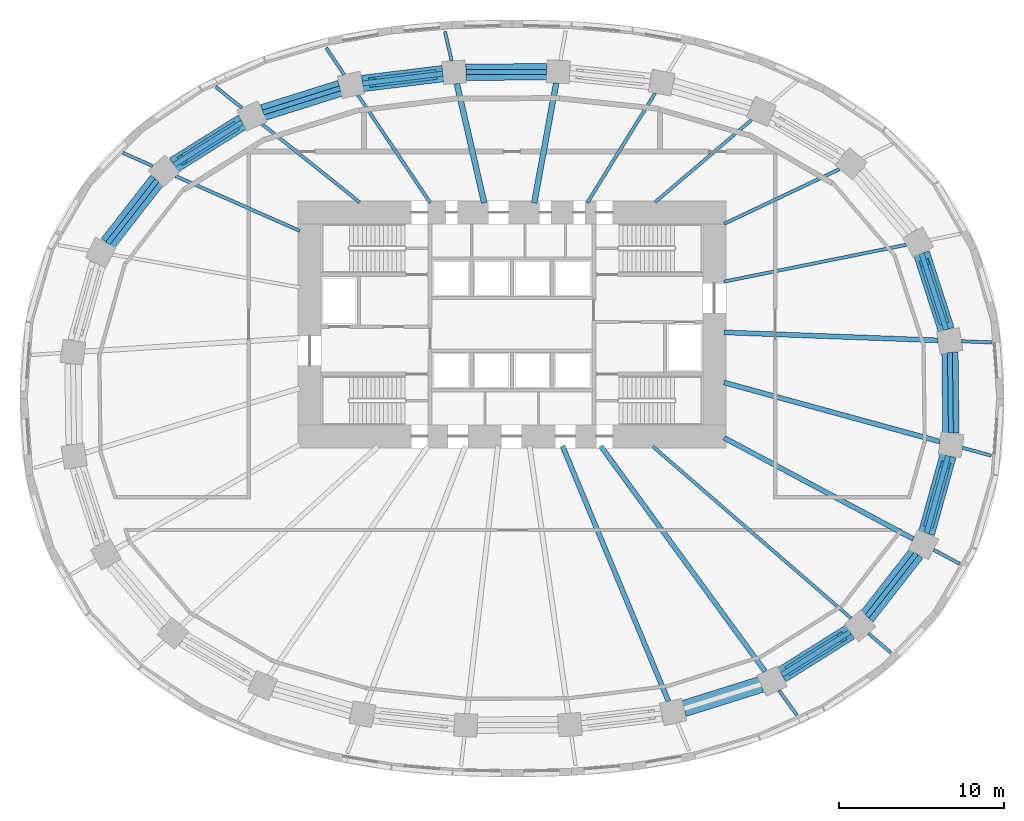
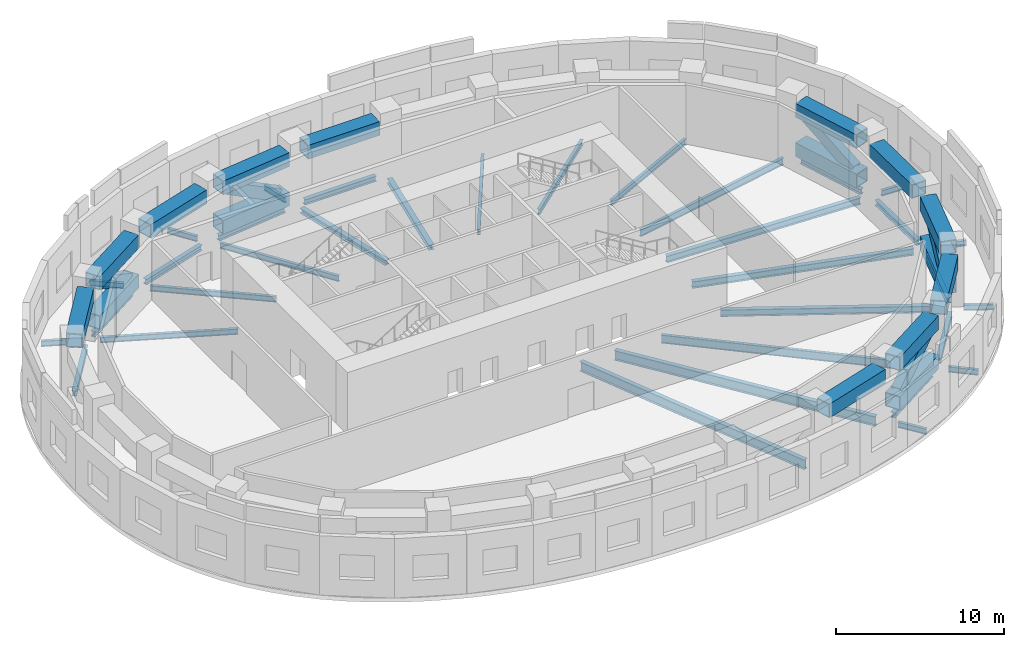
# One storey, part 2 of 9: 34 beams, 21 members.
"""IFC4 building model written with IfcOpenShell, lengths in metres."""

from ifc_helpers import new_model, si_unit, direction, frame, origin, origin_2d, place, context, subcontext, project, spatial, hollow_rectangle, i_section, extrude, material, material_profile, profile_set, type_object, element, save


model = new_model("IFC4")

# Units and contexts
model_context = context("Model", 3, precision=1e-05, world=origin(), true_north=direction((0.0, 1.0)))
body_context = subcontext(model_context, "Body", "Model", "MODEL_VIEW")
ifc_project = project(units=[si_unit("LENGTHUNIT", "METRE"), si_unit("AREAUNIT", "SQUARE_METRE"), si_unit("VOLUMEUNIT", "CUBIC_METRE"), si_unit("PLANEANGLEUNIT", "RADIAN"), si_unit("MASSUNIT", "GRAM", prefix="KILO")], contexts=[model_context])

# Site, building, storey
site_placement = place(None, origin())
site = spatial("IfcSite", under=ifc_project, at=site_placement, CompositionType="ELEMENT")
building_placement = place(site_placement, origin())
building = spatial("IfcBuilding", under=site, at=building_placement, Name="Rubra Terraces Tower", CompositionType="ELEMENT")
storey_placement = place(building_placement, frame((0.0, 0.0, 33.0)))
storey = spatial("IfcBuildingStorey", under=building, at=storey_placement, Name="L05", CompositionType="ELEMENT", Elevation=33.0)

# Members
ifc_material = material(Name="Steel Q355B", Category="steel")
ifc_material_profile_1 = material_profile(ifc_material, hollow_rectangle(XDim=1.0, YDim=1.0, WallThickness=0.050048828125, at=origin_2d()), Name="BOX 1000x1000x50")
ifc_profile_set_1 = profile_set([ifc_material_profile_1], Name="Steel Q355B")
member_type_1 = type_object("IfcMemberType", Name="BELT TRUSS BOTTOM CHORD R1 BOX 1000x1000x50", PredefinedType="CHORD", material=ifc_profile_set_1)
member_1_placement = place(storey_placement, frame((26.389892578125, 4.1689453125, 0.5), z_axis=(-0.306899072406, 0.95174206556, 0.0), x_axis=(-0.95174206556, -0.306899072406, 0.0)))
element("IfcMember", 1, at=member_1_placement, inside=storey, type_object=member_type_1, Name="BELT TRUSS CHORD R1", PredefinedType="CHORD", context=body_context, shape_type="SweptSolid", body=[
    extrude(hollow_rectangle(XDim=1.0, YDim=1.0, WallThickness=0.050048828125, at=origin_2d()), origin(), (0.0, 0.0, 1.0), 4.883544921875),
])
member_2_placement = place(storey_placement, frame((-4.2041015625, 19.739013671875, 0.5), z_axis=(-0.992628259183, -0.121198758537, 0.0), x_axis=(0.121198758537, -0.992628259183, 0.0)))
element("IfcMember", 2, at=member_2_placement, inside=storey, type_object=member_type_1, Name="BELT TRUSS CHORD R1", PredefinedType="CHORD", context=body_context, shape_type="SweptSolid", body=[
    extrude(hollow_rectangle(XDim=1.0, YDim=1.0, WallThickness=0.050048828125, at=origin_2d()), origin(), (0.0, 0.0, 1.0), 4.9169921875),
])
for number, where, z_axis, x_axis, name in (
    (3, (-16.39208984375, 16.79296875, 0.5), (-0.84705069726, -0.531512103599, 0.0), (0.531512103599, -0.84705069726, 0.0), "BELT TRUSS CHORD R1"),
    (4, (16.39208984375, -16.79296875, 0.5), (0.84705069726, 0.531512103599, 0.0), (-0.531512103599, 0.84705069726, 0.0), "BELT TRUSS CHORD R1"),
):
    element("IfcMember", number, at=place(storey_placement, frame(where, z_axis=z_axis, x_axis=x_axis)), inside=storey, type_object=member_type_1, Name=name, PredefinedType="CHORD", context=body_context, shape_type="SweptSolid", body=[
        extrude(hollow_rectangle(XDim=1.0, YDim=1.0, WallThickness=0.050048828125, at=origin_2d()), origin(), (0.0, 0.0, 1.0), 4.899169921875),
    ])
member_3_placement = place(storey_placement, frame((25.18994140625, -8.19091796875, 0.5), z_axis=(0.267520162501, 0.963552262545, 0.0), x_axis=(-0.963552262545, 0.267520162501, 0.0)))
element("IfcMember", 5, at=member_3_placement, inside=storey, type_object=member_type_1, Name="BELT TRUSS CHORD R1", PredefinedType="CHORD", context=body_context, shape_type="SweptSolid", body=[
    extrude(hollow_rectangle(XDim=1.0, YDim=1.0, WallThickness=0.050048828125, at=origin_2d()), origin(), (0.0, 0.0, 1.0), 4.885986328125),
])
ifc_material_profile_2 = material_profile(ifc_material, hollow_rectangle(XDim=0.60009765625, YDim=0.800048828125, WallThickness=0.034912109375, at=origin_2d()), Name="BOX 800x600x35")
ifc_profile_set_2 = profile_set([ifc_material_profile_2], Name="Steel Q355B")
member_type_2 = type_object("IfcMemberType", Name="BELT TRUSS DIAGONAL R1 BOX 800x600x35", PredefinedType="BRACE", material=ifc_profile_set_2)
member_4_placement = place(storey_placement, frame((26.2099609375, 4.72705078125, 0.89990234375), z_axis=(-0.268506515013, 0.832686763707, 0.484290207357), x_axis=(-0.951742714559, -0.306897059751, 0.0)))
element("IfcMember", 6, at=member_4_placement, inside=storey, type_object=member_type_2, Name="BELT TRUSS DIAGONAL R1", PredefinedType="BRACE", context=body_context, shape_type="SweptSolid", body=[
    extrude(hollow_rectangle(XDim=0.60009765625, YDim=0.800048828125, WallThickness=0.034912109375, at=origin_2d()), origin(), (0.0, 0.0, 1.0), 4.24169921875),
])
member_5_placement = place(storey_placement, frame((-4.7900390625, 19.66796875, 0.89990234375), z_axis=(-0.869822746072, -0.106437630657, 0.481746220738), x_axis=(0.121461053986, -0.992596198041, 0.0)))
element("IfcMember", 7, at=member_5_placement, inside=storey, type_object=member_type_2, Name="BELT TRUSS DIAGONAL R1", PredefinedType="BRACE", context=body_context, shape_type="SweptSolid", body=[
    extrude(hollow_rectangle(XDim=0.60009765625, YDim=0.800048828125, WallThickness=0.034912109375, at=origin_2d()), origin(), (0.0, 0.0, 1.0), 4.26416015625),
])
for number, where, z_axis, x_axis, name in (
    (8, (-16.889892578125, 16.47998046875, 0.89990234375), (-0.741763109118, -0.465188072612, 0.483102004809), (0.53130100335, -0.847183122967, 0.0), "BELT TRUSS DIAGONAL R1"),
    (9, (16.889892578125, -16.47998046875, 0.89990234375), (0.741763109118, 0.465188072612, 0.483102004809), (-0.53130100335, 0.847183122967, 0.0), "BELT TRUSS DIAGONAL R1"),
):
    element("IfcMember", number, at=place(storey_placement, frame(where, z_axis=z_axis, x_axis=x_axis)), inside=storey, type_object=member_type_2, Name=name, PredefinedType="BRACE", context=body_context, shape_type="SweptSolid", body=[
        extrude(hollow_rectangle(XDim=0.60009765625, YDim=0.800048828125, WallThickness=0.034912109375, at=origin_2d()), origin(), (0.0, 0.0, 1.0), 4.252197265625),
    ])
member_6_placement = place(storey_placement, frame((25.346923828125, -7.6259765625, 0.89990234375), z_axis=(0.234043295771, 0.843142698998, 0.484080700742), x_axis=(-0.963565934924, 0.26747091254, 0.0)))
element("IfcMember", 10, at=member_6_placement, inside=storey, type_object=member_type_2, Name="BELT TRUSS DIAGONAL R1", PredefinedType="BRACE", context=body_context, shape_type="SweptSolid", body=[
    extrude(hollow_rectangle(XDim=0.60009765625, YDim=0.800048828125, WallThickness=0.034912109375, at=origin_2d()), origin(), (0.0, 0.0, 1.0), 4.243408203125),
])
ifc_material_profile_3 = material_profile(ifc_material, hollow_rectangle(XDim=1.0, YDim=1.0, WallThickness=0.050048828125, at=origin_2d()), Name="BOX 1000x1000x50")
ifc_profile_set_3 = profile_set([ifc_material_profile_3], Name="Steel Q355B")
member_type_3 = type_object("IfcMemberType", Name="BELT TRUSS TOP CHORD R1 BOX 1000x1000x50", PredefinedType="CHORD", material=ifc_profile_set_3)
member_7_placement = place(storey_placement, frame((26.389892578125, 4.1689453125, 3.35400390625), z_axis=(-0.306899072406, 0.95174206556, 0.0), x_axis=(-0.95174206556, -0.306899072406, 0.0)))
element("IfcMember", 11, at=member_7_placement, inside=storey, type_object=member_type_3, Name="BELT TRUSS CHORD R1", PredefinedType="CHORD", context=body_context, shape_type="SweptSolid", body=[
    extrude(hollow_rectangle(XDim=1.0, YDim=1.0, WallThickness=0.050048828125, at=origin_2d()), origin(), (0.0, 0.0, 1.0), 4.883544921875),
])
member_8_placement = place(storey_placement, frame((2.111083984375, 19.85107421875, 3.35400390625), z_axis=(-0.999987934283, -0.004912360715, 0.0), x_axis=(0.004912360715, -0.999987934283, 0.0)))
element("IfcMember", 12, at=member_8_placement, inside=storey, type_object=member_type_3, Name="BELT TRUSS CHORD R1", PredefinedType="CHORD", context=body_context, shape_type="SweptSolid", body=[
    extrude(hollow_rectangle(XDim=1.0, YDim=1.0, WallThickness=0.050048828125, at=origin_2d()), origin(), (0.0, 0.0, 1.0), 4.920166015625),
])
member_9_placement = place(storey_placement, frame((-4.2041015625, 19.739013671875, 3.35400390625), z_axis=(-0.992628259183, -0.121198758537, 0.0), x_axis=(0.121198758537, -0.992628259183, 0.0)))
element("IfcMember", 13, at=member_9_placement, inside=storey, type_object=member_type_3, Name="BELT TRUSS CHORD R1", PredefinedType="CHORD", context=body_context, shape_type="SweptSolid", body=[
    extrude(hollow_rectangle(XDim=1.0, YDim=1.0, WallThickness=0.050048828125, at=origin_2d()), origin(), (0.0, 0.0, 1.0), 4.9169921875),
])
member_10_placement = place(storey_placement, frame((-10.447998046875, 18.847900390625, 3.35400390625), z_axis=(-0.953931514717, -0.300024441054, 0.0), x_axis=(0.300024441054, -0.953931514717, 0.0)))
element("IfcMember", 14, at=member_10_placement, inside=storey, type_object=member_type_3, Name="BELT TRUSS CHORD R1", PredefinedType="CHORD", context=body_context, shape_type="SweptSolid", body=[
    extrude(hollow_rectangle(XDim=1.0, YDim=1.0, WallThickness=0.050048828125, at=origin_2d()), origin(), (0.0, 0.0, 1.0), 4.9091796875),
])
member_11_placement = place(storey_placement, frame((-16.39208984375, 16.79296875, 3.35400390625), z_axis=(-0.84705069726, -0.531512103599, 0.0), x_axis=(0.531512103599, -0.84705069726, 0.0)))
element("IfcMember", 15, at=member_11_placement, inside=storey, type_object=member_type_3, Name="BELT TRUSS CHORD R1", PredefinedType="CHORD", context=body_context, shape_type="SweptSolid", body=[
    extrude(hollow_rectangle(XDim=1.0, YDim=1.0, WallThickness=0.050048828125, at=origin_2d()), origin(), (0.0, 0.0, 1.0), 4.899169921875),
])
member_12_placement = place(storey_placement, frame((-21.56591796875, 13.264892578125, 3.35400390625), z_axis=(-0.615732345854, -0.787955378349, 0.0), x_axis=(0.787955378349, -0.615732345854, 0.0)))
element("IfcMember", 16, at=member_12_placement, inside=storey, type_object=member_type_3, Name="BELT TRUSS CHORD R1", PredefinedType="CHORD", context=body_context, shape_type="SweptSolid", body=[
    extrude(hollow_rectangle(XDim=1.0, YDim=1.0, WallThickness=0.050048828125, at=origin_2d()), origin(), (0.0, 0.0, 1.0), 4.882080078125),
])
member_13_placement = place(storey_placement, frame((10.447998046875, -18.847900390625, 3.35400390625), z_axis=(0.953931514717, 0.300024441054, 0.0), x_axis=(-0.300024441054, 0.953931514717, 0.0)))
element("IfcMember", 17, at=member_13_placement, inside=storey, type_object=member_type_3, Name="BELT TRUSS CHORD R1", PredefinedType="CHORD", context=body_context, shape_type="SweptSolid", body=[
    extrude(hollow_rectangle(XDim=1.0, YDim=1.0, WallThickness=0.050048828125, at=origin_2d()), origin(), (0.0, 0.0, 1.0), 4.9091796875),
])
member_14_placement = place(storey_placement, frame((16.39208984375, -16.79296875, 3.35400390625), z_axis=(0.84705069726, 0.531512103599, 0.0), x_axis=(-0.531512103599, 0.84705069726, 0.0)))
element("IfcMember", 18, at=member_14_placement, inside=storey, type_object=member_type_3, Name="BELT TRUSS CHORD R1", PredefinedType="CHORD", context=body_context, shape_type="SweptSolid", body=[
    extrude(hollow_rectangle(XDim=1.0, YDim=1.0, WallThickness=0.050048828125, at=origin_2d()), origin(), (0.0, 0.0, 1.0), 4.899169921875),
])
member_15_placement = place(storey_placement, frame((21.56591796875, -13.264892578125, 3.35400390625), z_axis=(0.615732345854, 0.787955378349, 0.0), x_axis=(-0.787955378349, 0.615732345854, 0.0)))
element("IfcMember", 19, at=member_15_placement, inside=storey, type_object=member_type_3, Name="BELT TRUSS CHORD R1", PredefinedType="CHORD", context=body_context, shape_type="SweptSolid", body=[
    extrude(hollow_rectangle(XDim=1.0, YDim=1.0, WallThickness=0.050048828125, at=origin_2d()), origin(), (0.0, 0.0, 1.0), 4.882080078125),
])
member_16_placement = place(storey_placement, frame((25.18994140625, -8.19091796875, 3.35400390625), z_axis=(0.267520162501, 0.963552262545, 0.0), x_axis=(-0.963552262545, 0.267520162501, 0.0)))
element("IfcMember", 20, at=member_16_placement, inside=storey, type_object=member_type_3, Name="BELT TRUSS CHORD R1", PredefinedType="CHORD", context=body_context, shape_type="SweptSolid", body=[
    extrude(hollow_rectangle(XDim=1.0, YDim=1.0, WallThickness=0.050048828125, at=origin_2d()), origin(), (0.0, 0.0, 1.0), 4.885986328125),
])
member_17_placement = place(storey_placement, frame((26.675048828125, -2.10791015625, 3.35400390625), z_axis=(-0.012427576121, 0.999922774694, 0.0), x_axis=(-0.999922774694, -0.012427576121, 0.0)))
element("IfcMember", 21, at=member_17_placement, inside=storey, type_object=member_type_3, Name="BELT TRUSS CHORD R1", PredefinedType="CHORD", context=body_context, shape_type="SweptSolid", body=[
    extrude(hollow_rectangle(XDim=1.0, YDim=1.0, WallThickness=0.050048828125, at=origin_2d()), origin(), (0.0, 0.0, 1.0), 4.911376953125),
])

# Beams
ifc_material_profile_4 = material_profile(ifc_material, i_section(OverallWidth=0.199951171875, OverallDepth=0.39990234375, WebThickness=0.008056640625, FlangeThickness=0.012939453125, at=origin_2d()), Name="HN 400x200x8x13")
ifc_profile_set_4 = profile_set([ifc_material_profile_4], Name="Steel Q355B")
beam_type_1 = type_object("IfcBeamType", Name="CANTILEVER BEAM HN 400x200x8x13", PredefinedType="BEAM", material=ifc_profile_set_4)
beam_1_placement = place(storey_placement, frame((27.319091796875, 3.47607421875, -0.5), z_axis=(0.999296482656, -0.037503863151, 0.0), x_axis=(0.037503863151, 0.999296482656, 0.0)))
element("IfcBeam", 22, at=beam_1_placement, inside=storey, type_object=beam_type_1, Name="beam-L05-cant-01", PredefinedType="BEAM", context=body_context, shape_type="SweptSolid", body=[
    extrude(i_section(OverallWidth=0.199951171875, OverallDepth=0.39990234375, WebThickness=0.008056640625, FlangeThickness=0.012939453125, at=origin_2d()), origin(), (0.0, 0.0, 1.0), 1.816162109375),
])
beam_2_placement = place(storey_placement, frame((-3.6669921875, 20.514892578125, -0.5), z_axis=(-0.223175715845, 0.974778231116, 0.0), x_axis=(-0.974778231116, -0.223175715845, 0.0)))
element("IfcBeam", 23, at=beam_2_placement, inside=storey, type_object=beam_type_1, Name="beam-L05-cant-07", PredefinedType="BEAM", context=body_context, shape_type="SweptSolid", body=[
    extrude(i_section(OverallWidth=0.199951171875, OverallDepth=0.39990234375, WebThickness=0.008056640625, FlangeThickness=0.012939453125, at=origin_2d()), origin(), (0.0, 0.0, 1.0), 1.832275390625),
])
beam_3_placement = place(storey_placement, frame((-10.199951171875, 19.68310546875, -0.5), z_axis=(-0.557732327532, 0.830020873729, 0.0), x_axis=(-0.830020873729, -0.557732327532, 0.0)))
element("IfcBeam", 24, at=beam_3_placement, inside=storey, type_object=beam_type_1, Name="beam-L05-cant-08", PredefinedType="BEAM", context=body_context, shape_type="SweptSolid", body=[
    extrude(i_section(OverallWidth=0.199951171875, OverallDepth=0.39990234375, WebThickness=0.008056640625, FlangeThickness=0.012939453125, at=origin_2d()), origin(), (0.0, 0.0, 1.0), 1.96728515625),
])
beam_4_placement = place(storey_placement, frame((-16.408935546875, 17.654052734375, -0.5), z_axis=(-0.780088162003, 0.625669608901, 0.0), x_axis=(-0.625669608901, -0.780088162003, 0.0)))
element("IfcBeam", 25, at=beam_4_placement, inside=storey, type_object=beam_type_1, Name="beam-L05-cant-09", PredefinedType="BEAM", context=body_context, shape_type="SweptSolid", body=[
    extrude(i_section(OverallWidth=0.199951171875, OverallDepth=0.39990234375, WebThickness=0.008056640625, FlangeThickness=0.012939453125, at=origin_2d()), origin(), (0.0, 0.0, 1.0), 2.0458984375),
])
beam_5_placement = place(storey_placement, frame((-21.8369140625, 14.1259765625, -0.5), z_axis=(-0.914937817451, 0.403594834205, 0.0), x_axis=(-0.403594834205, -0.914937817451, 0.0)))
element("IfcBeam", 26, at=beam_5_placement, inside=storey, type_object=beam_type_1, Name="beam-L05-cant-10", PredefinedType="BEAM", context=body_context, shape_type="SweptSolid", body=[
    extrude(i_section(OverallWidth=0.199951171875, OverallDepth=0.39990234375, WebThickness=0.008056640625, FlangeThickness=0.012939453125, at=origin_2d()), origin(), (0.0, 0.0, 1.0), 1.987060546875),
])
beam_6_placement = place(storey_placement, frame((16.219970703125, -17.741943359375, -0.5), z_axis=(0.589263865816, -0.80794065156, 0.0), x_axis=(0.80794065156, 0.589263865816, 0.0)))
element("IfcBeam", 27, at=beam_6_placement, inside=storey, type_object=beam_type_1, Name="beam-L05-cant-21", PredefinedType="BEAM", context=body_context, shape_type="SweptSolid", body=[
    extrude(i_section(OverallWidth=0.199951171875, OverallDepth=0.39990234375, WebThickness=0.008056640625, FlangeThickness=0.012939453125, at=origin_2d()), origin(), (0.0, 0.0, 1.0), 1.8466796875),
])
beam_7_placement = place(storey_placement, frame((21.66796875, -14.279052734375, -0.5), z_axis=(0.755724760554, -0.654889369501, 0.0), x_axis=(0.654889369501, 0.755724760554, 0.0)))
element("IfcBeam", 28, at=beam_7_placement, inside=storey, type_object=beam_type_1, Name="beam-L05-cant-22", PredefinedType="BEAM", context=body_context, shape_type="SweptSolid", body=[
    extrude(i_section(OverallWidth=0.199951171875, OverallDepth=0.39990234375, WebThickness=0.008056640625, FlangeThickness=0.012939453125, at=origin_2d()), origin(), (0.0, 0.0, 1.0), 1.80615234375),
])
beam_8_placement = place(storey_placement, frame((25.62109375, -9.196044921875, -0.5), z_axis=(0.881903321084, -0.471430304776, 0.0), x_axis=(0.471430304776, 0.881903321084, 0.0)))
element("IfcBeam", 29, at=beam_8_placement, inside=storey, type_object=beam_type_1, Name="beam-L05-cant-23", PredefinedType="BEAM", context=body_context, shape_type="SweptSolid", body=[
    extrude(i_section(OverallWidth=0.199951171875, OverallDepth=0.39990234375, WebThickness=0.008056640625, FlangeThickness=0.012939453125, at=origin_2d()), origin(), (0.0, 0.0, 1.0), 1.790283203125),
])
beam_9_placement = place(storey_placement, frame((27.365966796875, -2.9951171875, -0.5), z_axis=(0.964481687863, -0.264149718489, 0.0), x_axis=(0.264149718489, 0.964481687863, 0.0)))
element("IfcBeam", 30, at=beam_9_placement, inside=storey, type_object=beam_type_1, Name="beam-L05-cant-24", PredefinedType="BEAM", context=body_context, shape_type="SweptSolid", body=[
    extrude(i_section(OverallWidth=0.199951171875, OverallDepth=0.39990234375, WebThickness=0.008056640625, FlangeThickness=0.012939453125, at=origin_2d()), origin(), (0.0, 0.0, 1.0), 1.82080078125),
])
ifc_material_profile_5 = material_profile(ifc_material, i_section(OverallWidth=0.300048828125, OverallDepth=0.48193359375, WebThickness=0.010986328125, FlangeThickness=0.014892578125, at=origin_2d()), Name="HM 482x300x11x15")
ifc_profile_set_5 = profile_set([ifc_material_profile_5], Name="Steel Q355B")
beam_type_2 = type_object("IfcBeamType", Name="FLOOR BEAM HM 482x300x11x15", PredefinedType="BEAM", material=ifc_profile_set_5)
beam_10_placement = place(storey_placement, frame((25.89111328125, 3.530029296875, -0.541015625), z_axis=(-0.999300088658, 0.037407657088, 0.0), x_axis=(-0.037407657088, -0.999300088658, 0.0)))
element("IfcBeam", 31, at=beam_10_placement, inside=storey, type_object=beam_type_2, Name="beam-L05-floor-01", PredefinedType="BEAM", context=body_context, shape_type="SweptSolid", body=[
    extrude(i_section(OverallWidth=0.300048828125, OverallDepth=0.48193359375, WebThickness=0.010986328125, FlangeThickness=0.014892578125, at=origin_2d()), origin(), (0.0, 0.0, 1.0), 13.020263671875),
])
beam_11_placement = place(storey_placement, frame((24.385009765625, -8.535888671875, -0.541015625), z_axis=(-0.881896613876, 0.471442851716, 0.0), x_axis=(-0.471442851716, -0.881896613876, 0.0)))
element("IfcBeam", 32, at=beam_11_placement, inside=storey, type_object=beam_type_2, Name="beam-L05-floor-23", PredefinedType="BEAM", context=body_context, shape_type="SweptSolid", body=[
    extrude(i_section(OverallWidth=0.300048828125, OverallDepth=0.48193359375, WebThickness=0.010986328125, FlangeThickness=0.014892578125, at=origin_2d()), origin(), (0.0, 0.0, 1.0), 13.02978515625),
])
beam_12_placement = place(storey_placement, frame((26.001953125, -2.62109375, -0.541015625), z_axis=(-0.964494059772, 0.264104541167, 0.0), x_axis=(-0.264104541167, -0.964494059772, 0.0)))
element("IfcBeam", 33, at=beam_12_placement, inside=storey, type_object=beam_type_2, Name="beam-L05-floor-24", PredefinedType="BEAM", context=body_context, shape_type="SweptSolid", body=[
    extrude(i_section(OverallWidth=0.300048828125, OverallDepth=0.48193359375, WebThickness=0.010986328125, FlangeThickness=0.014892578125, at=origin_2d()), origin(), (0.0, 0.0, 1.0), 13.600830078125),
])
ifc_material_profile_6 = material_profile(ifc_material, i_section(OverallWidth=0.199951171875, OverallDepth=0.39990234375, WebThickness=0.008056640625, FlangeThickness=0.012939453125, at=origin_2d()), Name="HN 400x200x8x13")
ifc_profile_set_6 = profile_set([ifc_material_profile_6], Name="Steel Q355B")
beam_type_3 = type_object("IfcBeamType", Name="FLOOR BEAM HN 400x200x8x13", PredefinedType="BEAM", material=ifc_profile_set_6)
beam_13_placement = place(storey_placement, frame((19.904052734375, 13.93603515625, -0.5), z_axis=(-0.903612237836, -0.428351402045, 0.0), x_axis=(0.428351402045, -0.903612237836, 0.0)))
element("IfcBeam", 34, at=beam_13_placement, inside=storey, type_object=beam_type_3, Name="beam-L05-floor-03", PredefinedType="BEAM", context=body_context, shape_type="SweptSolid", body=[
    extrude(i_section(OverallWidth=0.199951171875, OverallDepth=0.39990234375, WebThickness=0.008056640625, FlangeThickness=0.012939453125, at=origin_2d()), origin(), (0.0, 0.0, 1.0), 7.760009765625),
])
beam_14_placement = place(storey_placement, frame((14.56298828125, 16.93408203125, -0.5), z_axis=(-0.760494401061, -0.649344489431, 0.0), x_axis=(0.649344489431, -0.760494401061, 0.0)))
element("IfcBeam", 35, at=beam_14_placement, inside=storey, type_object=beam_type_3, Name="beam-L05-floor-04", PredefinedType="BEAM", context=body_context, shape_type="SweptSolid", body=[
    extrude(i_section(OverallWidth=0.199951171875, OverallDepth=0.39990234375, WebThickness=0.008056640625, FlangeThickness=0.012939453125, at=origin_2d()), origin(), (0.0, 0.0, 1.0), 7.718505859375),
])
beam_15_placement = place(storey_placement, frame((8.699951171875, 18.555908203125, -0.5), z_axis=(-0.526285914839, -0.850307671283, 0.0), x_axis=(0.850307671283, -0.526285914839, 0.0)))
element("IfcBeam", 36, at=beam_15_placement, inside=storey, type_object=beam_type_3, Name="beam-L05-floor-05", PredefinedType="BEAM", context=body_context, shape_type="SweptSolid", body=[
    extrude(i_section(OverallWidth=0.199951171875, OverallDepth=0.39990234375, WebThickness=0.008056640625, FlangeThickness=0.012939453125, at=origin_2d()), origin(), (0.0, 0.0, 1.0), 7.830078125),
])
beam_16_placement = place(storey_placement, frame((-9.360107421875, 18.43310546875, -0.5), z_axis=(0.557574689395, -0.830126776912, 0.0), x_axis=(0.830126776912, 0.557574689395, 0.0)))
element("IfcBeam", 37, at=beam_16_placement, inside=storey, type_object=beam_type_3, Name="beam-L05-floor-08", PredefinedType="BEAM", context=body_context, shape_type="SweptSolid", body=[
    extrude(i_section(OverallWidth=0.199951171875, OverallDepth=0.39990234375, WebThickness=0.008056640625, FlangeThickness=0.012939453125, at=origin_2d()), origin(), (0.0, 0.0, 1.0), 7.8701171875),
])
beam_17_placement = place(storey_placement, frame((-15.18896484375, 16.676025390625, -0.5), z_axis=(0.780266406942, -0.625447307291, 0.0), x_axis=(0.625447307291, 0.780266406942, 0.0)))
element("IfcBeam", 38, at=beam_17_placement, inside=storey, type_object=beam_type_3, Name="beam-L05-floor-09", PredefinedType="BEAM", context=body_context, shape_type="SweptSolid", body=[
    extrude(i_section(OverallWidth=0.199951171875, OverallDepth=0.39990234375, WebThickness=0.008056640625, FlangeThickness=0.012939453125, at=origin_2d()), origin(), (0.0, 0.0, 1.0), 7.59619140625),
])
beam_18_placement = place(storey_placement, frame((-20.43310546875, 13.508056640625, -0.5), z_axis=(0.914994662209, -0.4034659442, 0.0), x_axis=(0.4034659442, 0.914994662209, 0.0)))
element("IfcBeam", 39, at=beam_18_placement, inside=storey, type_object=beam_type_3, Name="beam-L05-floor-10", PredefinedType="BEAM", context=body_context, shape_type="SweptSolid", body=[
    extrude(i_section(OverallWidth=0.199951171875, OverallDepth=0.39990234375, WebThickness=0.008056640625, FlangeThickness=0.012939453125, at=origin_2d()), origin(), (0.0, 0.0, 1.0), 8.243896484375),
])
ifc_material_profile_7 = material_profile(ifc_material, i_section(OverallWidth=0.198974609375, OverallDepth=0.49609375, WebThickness=0.009033203125, FlangeThickness=0.013916015625, at=origin_2d()), Name="HN 496x199x9x14")
ifc_profile_set_7 = profile_set([ifc_material_profile_7], Name="Steel Q355B")
beam_type_4 = type_object("IfcBeamType", Name="FLOOR BEAM HN 496x199x9x14", PredefinedType="BEAM", material=ifc_profile_set_7)
beam_19_placement = place(storey_placement, frame((23.9560546875, 9.337890625, -0.548095703125), z_axis=(-0.980204035637, -0.197990021264, 0.0), x_axis=(0.197990021264, -0.980204035637, 0.0)))
element("IfcBeam", 40, at=beam_19_placement, inside=storey, type_object=beam_type_4, Name="beam-L05-floor-02", PredefinedType="BEAM", context=body_context, shape_type="SweptSolid", body=[
    extrude(i_section(OverallWidth=0.198974609375, OverallDepth=0.49609375, WebThickness=0.009033203125, FlangeThickness=0.013916015625, at=origin_2d()), origin(), (0.0, 0.0, 1.0), 11.297607421875),
])
ifc_material_profile_8 = material_profile(ifc_material, i_section(OverallWidth=0.198974609375, OverallDepth=0.595947265625, WebThickness=0.010009765625, FlangeThickness=0.014892578125, at=origin_2d()), Name="HN 596x199x10x15")
ifc_profile_set_8 = profile_set([ifc_material_profile_8], Name="Steel Q355B")
beam_type_5 = type_object("IfcBeamType", Name="FLOOR BEAM HN 596x199x10x15", PredefinedType="BEAM", material=ifc_profile_set_8)
beam_20_placement = place(storey_placement, frame((20.60205078125, -13.35498046875, -0.597900390625), z_axis=(-0.755682003913, 0.654938706263, 0.0), x_axis=(-0.654938706263, -0.755682003913, 0.0)))
element("IfcBeam", 41, at=beam_20_placement, inside=storey, type_object=beam_type_5, Name="beam-L05-floor-22", PredefinedType="BEAM", context=body_context, shape_type="SweptSolid", body=[
    extrude(i_section(OverallWidth=0.198974609375, OverallDepth=0.595947265625, WebThickness=0.010009765625, FlangeThickness=0.014892578125, at=origin_2d()), origin(), (0.0, 0.0, 1.0), 15.931396484375),
])
ifc_material_profile_9 = material_profile(ifc_material, i_section(OverallWidth=0.300048828125, OverallDepth=0.699951171875, WebThickness=0.012939453125, FlangeThickness=0.02392578125, at=origin_2d()), Name="HN 700x300x13x24")
ifc_profile_set_9 = profile_set([ifc_material_profile_9], Name="Steel Q355B")
beam_type_6 = type_object("IfcBeamType", Name="FLOOR BEAM HN 700x300x13x24", PredefinedType="BEAM", material=ifc_profile_set_9)
beam_21_placement = place(storey_placement, frame((9.507080078125, -18.40087890625, -0.64990234375), z_axis=(-0.383379543301, 0.923590886582, 0.0), x_axis=(-0.923590886582, -0.383379543301, 0.0)))
element("IfcBeam", 42, at=beam_21_placement, inside=storey, type_object=beam_type_6, Name="beam-L05-floor-20", PredefinedType="BEAM", context=body_context, shape_type="SweptSolid", body=[
    extrude(i_section(OverallWidth=0.300048828125, OverallDepth=0.699951171875, WebThickness=0.012939453125, FlangeThickness=0.02392578125, at=origin_2d()), origin(), (0.0, 0.0, 1.0), 16.795166015625),
])
beam_22_placement = place(storey_placement, frame((15.3779296875, -16.587890625, -0.64990234375), z_axis=(-0.58919117553, 0.807993662523, 0.0), x_axis=(-0.807993662523, -0.58919117553, 0.0)))
element("IfcBeam", 43, at=beam_22_placement, inside=storey, type_object=beam_type_6, Name="beam-L05-floor-21", PredefinedType="BEAM", context=body_context, shape_type="SweptSolid", body=[
    extrude(i_section(OverallWidth=0.300048828125, OverallDepth=0.699951171875, WebThickness=0.012939453125, FlangeThickness=0.02392578125, at=origin_2d()), origin(), (0.0, 0.0, 1.0), 16.936767578125),
])
ifc_material_profile_10 = material_profile(ifc_material, i_section(OverallWidth=0.35009765625, OverallDepth=0.35009765625, WebThickness=0.011962890625, FlangeThickness=0.01904296875, at=origin_2d()), Name="HW 350x350x12x19")
ifc_profile_set_10 = profile_set([ifc_material_profile_10], Name="Steel Q355B")
beam_type_7 = type_object("IfcBeamType", Name="FLOOR BEAM HW 350x350x12x19", PredefinedType="BEAM", material=ifc_profile_set_10)
beam_23_placement = place(storey_placement, frame((2.68408203125, 19.158935546875, -0.47509765625), z_axis=(-0.180186319425, -0.983632497578, 0.0), x_axis=(0.983632497578, -0.180186319425, 0.0)))
element("IfcBeam", 44, at=beam_23_placement, inside=storey, type_object=beam_type_7, Name="beam-L05-floor-06", PredefinedType="BEAM", context=body_context, shape_type="SweptSolid", body=[
    extrude(i_section(OverallWidth=0.35009765625, OverallDepth=0.35009765625, WebThickness=0.011962890625, FlangeThickness=0.01904296875, at=origin_2d()), origin(), (0.0, 0.0, 1.0), 7.39794921875),
])
beam_24_placement = place(storey_placement, frame((-3.35107421875, 19.133056640625, -0.47509765625), z_axis=(0.223209821828, -0.974770421914, 0.0), x_axis=(0.974770421914, 0.223209821828, 0.0)))
element("IfcBeam", 45, at=beam_24_placement, inside=storey, type_object=beam_type_7, Name="beam-L05-floor-07", PredefinedType="BEAM", context=body_context, shape_type="SweptSolid", body=[
    extrude(i_section(OverallWidth=0.35009765625, OverallDepth=0.35009765625, WebThickness=0.011962890625, FlangeThickness=0.01904296875, at=origin_2d()), origin(), (0.0, 0.0, 1.0), 7.437744140625),
])
ifc_material_profile_11 = material_profile(ifc_material, i_section(OverallWidth=0.300048828125, OverallDepth=0.389892578125, WebThickness=0.010009765625, FlangeThickness=0.01611328125, at=origin_2d()), Name="HM 390x300x10x16")
ifc_profile_set_11 = profile_set([ifc_material_profile_11], Name="Steel Q355B")
beam_type_8 = type_object("IfcBeamType", Name="SPANDREL BEAM HM 390x300x10x16", PredefinedType="SPANDREL", material=ifc_profile_set_11)
beam_25_placement = place(storey_placement, frame((26.387939453125, 4.177001953125, -0.4951171875), z_axis=(-0.30706880261, 0.951687317591, 0.0), x_axis=(-0.951687317591, -0.30706880261, 0.0)))
element("IfcBeam", 46, at=beam_25_placement, inside=storey, type_object=beam_type_8, Name="beam-L05-spandrel-01", PredefinedType="SPANDREL", context=body_context, shape_type="SweptSolid", body=[
    extrude(i_section(OverallWidth=0.300048828125, OverallDepth=0.389892578125, WebThickness=0.010009765625, FlangeThickness=0.01611328125, at=origin_2d()), origin(), (0.0, 0.0, 1.0), 4.86181640625),
])
beam_26_placement = place(storey_placement, frame((2.110107421875, 19.85107421875, -0.4951171875), z_axis=(-0.999987924698, -0.004914311469, 0.0), x_axis=(0.004914311469, -0.999987924698, 0.0)))
element("IfcBeam", 47, at=beam_26_placement, inside=storey, type_object=beam_type_8, Name="beam-L05-spandrel-06", PredefinedType="SPANDREL", context=body_context, shape_type="SweptSolid", body=[
    extrude(i_section(OverallWidth=0.300048828125, OverallDepth=0.389892578125, WebThickness=0.010009765625, FlangeThickness=0.01611328125, at=origin_2d()), origin(), (0.0, 0.0, 1.0), 4.918212890625),
])
beam_27_placement = place(storey_placement, frame((-4.205078125, 19.739013671875, -0.4951171875), z_axis=(-0.992616576014, -0.12129440639, 0.0), x_axis=(0.12129440639, -0.992616576014, 0.0)))
element("IfcBeam", 48, at=beam_27_placement, inside=storey, type_object=beam_type_8, Name="beam-L05-spandrel-07", PredefinedType="SPANDREL", context=body_context, shape_type="SweptSolid", body=[
    extrude(i_section(OverallWidth=0.300048828125, OverallDepth=0.389892578125, WebThickness=0.010009765625, FlangeThickness=0.01611328125, at=origin_2d()), origin(), (0.0, 0.0, 1.0), 4.913330078125),
])
beam_28_placement = place(storey_placement, frame((-10.450927734375, 18.846923828125, -0.4951171875), z_axis=(-0.953954624663, -0.299950952796, 0.0), x_axis=(0.299950952796, -0.953954624663, 0.0)))
element("IfcBeam", 49, at=beam_28_placement, inside=storey, type_object=beam_type_8, Name="beam-L05-spandrel-08", PredefinedType="SPANDREL", context=body_context, shape_type="SweptSolid", body=[
    extrude(i_section(OverallWidth=0.300048828125, OverallDepth=0.389892578125, WebThickness=0.010009765625, FlangeThickness=0.01611328125, at=origin_2d()), origin(), (0.0, 0.0, 1.0), 4.900634765625),
])
beam_29_placement = place(storey_placement, frame((-16.39697265625, 16.7900390625, -0.4951171875), z_axis=(-0.847078460197, -0.531467856291, 0.0), x_axis=(0.531467856291, -0.847078460197, 0.0)))
element("IfcBeam", 50, at=beam_29_placement, inside=storey, type_object=beam_type_8, Name="beam-L05-spandrel-09", PredefinedType="SPANDREL", context=body_context, shape_type="SweptSolid", body=[
    extrude(i_section(OverallWidth=0.300048828125, OverallDepth=0.389892578125, WebThickness=0.010009765625, FlangeThickness=0.01611328125, at=origin_2d()), origin(), (0.0, 0.0, 1.0), 4.882568359375),
])
beam_30_placement = place(storey_placement, frame((-21.572998046875, 13.257080078125, -0.4951171875), z_axis=(-0.615577734286, -0.788076172112, 0.0), x_axis=(0.788076172112, -0.615577734286, 0.0)))
element("IfcBeam", 51, at=beam_30_placement, inside=storey, type_object=beam_type_8, Name="beam-L05-spandrel-10", PredefinedType="SPANDREL", context=body_context, shape_type="SweptSolid", body=[
    extrude(i_section(OverallWidth=0.300048828125, OverallDepth=0.389892578125, WebThickness=0.010009765625, FlangeThickness=0.01611328125, at=origin_2d()), origin(), (0.0, 0.0, 1.0), 4.85888671875),
])
beam_31_placement = place(storey_placement, frame((16.39697265625, -16.7900390625, -0.4951171875), z_axis=(0.847078460197, 0.531467856291, 0.0), x_axis=(-0.531467856291, 0.847078460197, 0.0)))
element("IfcBeam", 52, at=beam_31_placement, inside=storey, type_object=beam_type_8, Name="beam-L05-spandrel-21", PredefinedType="SPANDREL", context=body_context, shape_type="SweptSolid", body=[
    extrude(i_section(OverallWidth=0.300048828125, OverallDepth=0.389892578125, WebThickness=0.010009765625, FlangeThickness=0.01611328125, at=origin_2d()), origin(), (0.0, 0.0, 1.0), 4.882568359375),
])
beam_32_placement = place(storey_placement, frame((21.572998046875, -13.257080078125, -0.4951171875), z_axis=(0.615577734286, 0.788076172112, 0.0), x_axis=(-0.788076172112, 0.615577734286, 0.0)))
element("IfcBeam", 53, at=beam_32_placement, inside=storey, type_object=beam_type_8, Name="beam-L05-spandrel-22", PredefinedType="SPANDREL", context=body_context, shape_type="SweptSolid", body=[
    extrude(i_section(OverallWidth=0.300048828125, OverallDepth=0.389892578125, WebThickness=0.010009765625, FlangeThickness=0.01611328125, at=origin_2d()), origin(), (0.0, 0.0, 1.0), 4.85888671875),
])
beam_33_placement = place(storey_placement, frame((25.194091796875, -8.177978515625, -0.4951171875), z_axis=(0.267364386726, 0.96359549849, 0.0), x_axis=(-0.96359549849, 0.267364386726, 0.0)))
element("IfcBeam", 54, at=beam_33_placement, inside=storey, type_object=beam_type_8, Name="beam-L05-spandrel-23", PredefinedType="SPANDREL", context=body_context, shape_type="SweptSolid", body=[
    extrude(i_section(OverallWidth=0.300048828125, OverallDepth=0.389892578125, WebThickness=0.010009765625, FlangeThickness=0.01611328125, at=origin_2d()), origin(), (0.0, 0.0, 1.0), 4.8662109375),
])
beam_34_placement = place(storey_placement, frame((26.675048828125, -2.10107421875, -0.4951171875), z_axis=(-0.012465372298, 0.999922304228, 0.0), x_axis=(-0.999922304228, -0.012465372298, 0.0)))
element("IfcBeam", 55, at=beam_34_placement, inside=storey, type_object=beam_type_8, Name="beam-L05-spandrel-24", PredefinedType="SPANDREL", context=body_context, shape_type="SweptSolid", body=[
    extrude(i_section(OverallWidth=0.300048828125, OverallDepth=0.389892578125, WebThickness=0.010009765625, FlangeThickness=0.01611328125, at=origin_2d()), origin(), (0.0, 0.0, 1.0), 4.896484375),
])

save(model, "model.ifc")
